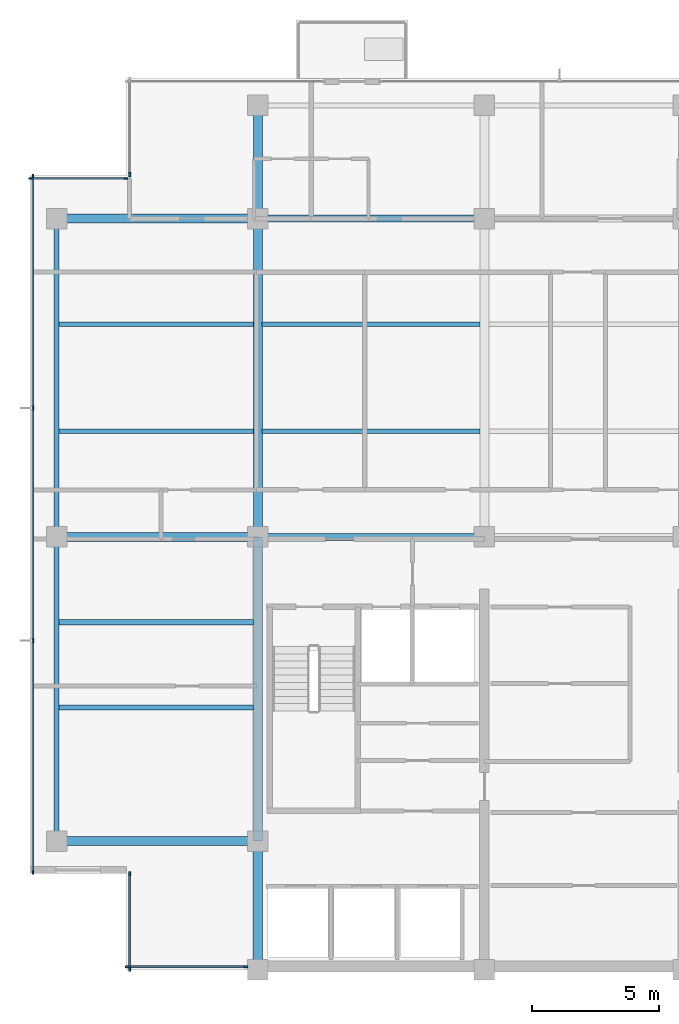
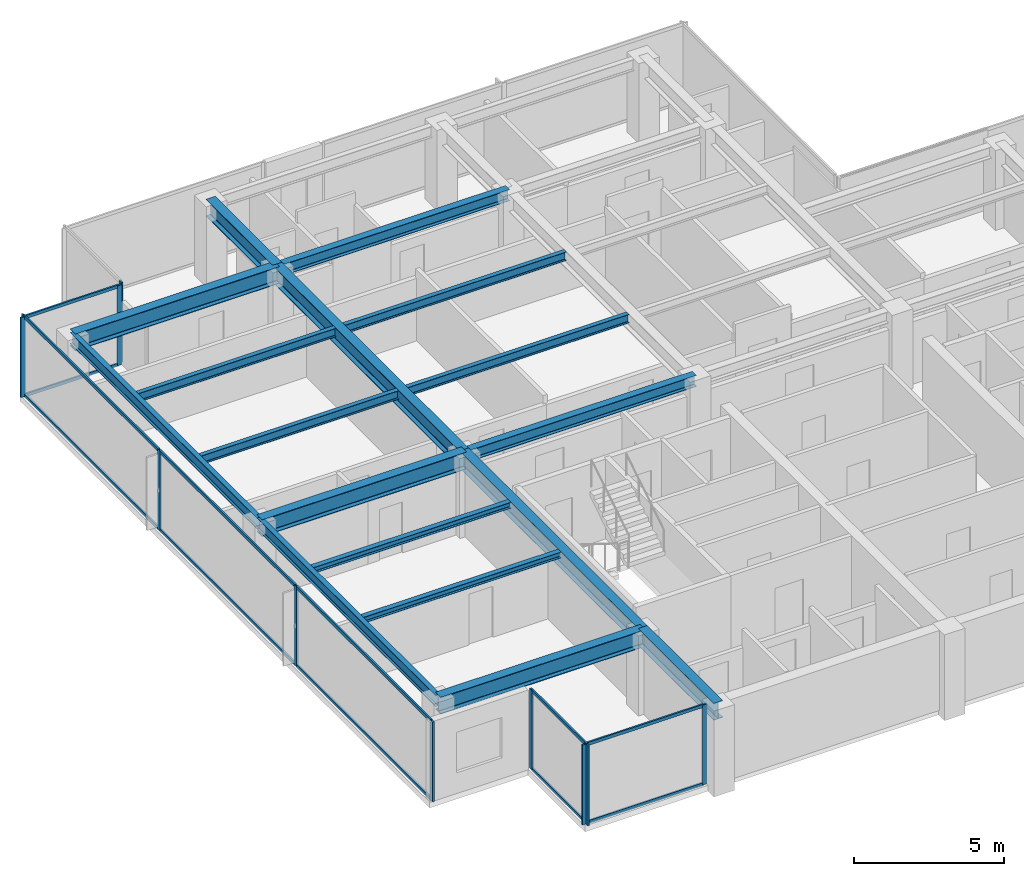
# One storey, part 2 of 11: 23 members, 17 beams, 5 elements without a shape of their own.
"""IFC4 building model written with IfcOpenShell, lengths in metres."""

from ifc_helpers import new_model, si_unit, direction, frame, origin, origin_2d, place, context, subcontext, project, spatial, rectangle, i_section, extrude, material, layer, layer_set, material_profile, profile_set, type_object, element, aggregate, save


model = new_model("IFC4")

# Units and contexts
model_context = context("Model", 3, precision=1e-05, world=origin(), true_north=direction((0.0, 1.0)))
body_context = subcontext(model_context, "Body", "Model", "MODEL_VIEW")
ifc_project = project(units=[si_unit("LENGTHUNIT", "METRE"), si_unit("AREAUNIT", "SQUARE_METRE"), si_unit("VOLUMEUNIT", "CUBIC_METRE"), si_unit("PLANEANGLEUNIT", "RADIAN"), si_unit("MASSUNIT", "GRAM", prefix="KILO")], contexts=[model_context])

# Site, building, storey
site_placement = place(None, origin())
site = spatial("IfcSite", under=ifc_project, at=site_placement, CompositionType="ELEMENT")
building_placement = place(site_placement, origin())
building = spatial("IfcBuilding", under=site, at=building_placement, Name="Qalmaran Belvedere Hotel", CompositionType="ELEMENT")
storey_placement = place(building_placement, frame((0.0, 0.0, 249.39990234375)))
storey = spatial("IfcBuildingStorey", under=building, at=storey_placement, Name="L64", CompositionType="ELEMENT", Elevation=249.39990234375)

# Beams
ifc_material_1 = material(Name="Steel S355JR", Category="steel")
ifc_material_profile_1 = material_profile(ifc_material_1, i_section(OverallWidth=0.201904296875, OverallDepth=0.2470703125, WebThickness=0.00732421875, FlangeThickness=0.010986328125, FilletRadius=0.011962890625, at=origin_2d()), Name="W250X49")
ifc_profile_set_1 = profile_set([ifc_material_profile_1], Name="Steel S355JR")
beam_type_1 = type_object("IfcBeamType", Name="BM-JST-W250X49", PredefinedType="JOIST", material=ifc_profile_set_1)
for number, where, z_axis, x_axis, name in (
    (1, (12.493896484375, 13.800048828125, 3.13671875), (1.0, 0.0, 0.0), (0.0, 1.0, 0.0), "L64 West Wing Joist 031"),
    (2, (12.493896484375, 17.14990234375, 3.13671875), (1.0, 0.0, 0.0), (0.0, 1.0, 0.0), "L64 West Wing Joist 033"),
):
    element("IfcBeam", number, at=place(storey_placement, frame(where, z_axis=z_axis, x_axis=x_axis)), inside=storey, type_object=beam_type_1, Name=name, PredefinedType="JOIST", context=body_context, shape_type="SweptSolid", body=[
        extrude(i_section(OverallWidth=0.201904296875, OverallDepth=0.2470703125, WebThickness=0.00732421875, FlangeThickness=0.010986328125, FilletRadius=0.011962890625, at=origin_2d()), origin(), (0.0, 0.0, 1.0), 7.630615234375),
    ])
ifc_material_profile_2 = material_profile(ifc_material_1, i_section(OverallWidth=0.172119140625, OverallDepth=0.35791015625, WebThickness=0.0078125, FlangeThickness=0.01318359375, FilletRadius=0.014892578125, at=origin_2d()), Name="W360X57")
ifc_profile_set_2 = profile_set([ifc_material_profile_2], Name="Steel S355JR")
beam_type_2 = type_object("IfcBeamType", Name="BM-SB4-W360X57", PredefinedType="BEAM", material=ifc_profile_set_2)
beam_1_placement = place(storey_placement, frame((12.493896484375, 24.64990234375, 3.0810546875), z_axis=(1.0, 0.0, 0.0), x_axis=(0.0, 1.0, 0.0)))
element("IfcBeam", 3, at=beam_1_placement, inside=storey, type_object=beam_type_2, Name="L64 West Secondary Beam 024", PredefinedType="BEAM", context=body_context, shape_type="SweptSolid", body=[
    extrude(i_section(OverallWidth=0.172119140625, OverallDepth=0.35791015625, WebThickness=0.0078125, FlangeThickness=0.01318359375, FilletRadius=0.014892578125, at=origin_2d()), origin(), (0.0, 0.0, 1.0), 7.630615234375),
])
beam_2_placement = place(storey_placement, frame((20.4755859375, 24.64990234375, 3.0810546875), z_axis=(1.0, 0.0, 0.0), x_axis=(0.0, 1.0, 0.0)))
element("IfcBeam", 4, at=beam_2_placement, inside=storey, type_object=beam_type_2, Name="L64 Secondary Floor Beam 025", PredefinedType="BEAM", context=body_context, shape_type="SweptSolid", body=[
    extrude(i_section(OverallWidth=0.172119140625, OverallDepth=0.35791015625, WebThickness=0.0078125, FlangeThickness=0.01318359375, FilletRadius=0.014892578125, at=origin_2d()), origin(), (0.0, 0.0, 1.0), 8.548828125),
])
beam_3_placement = place(storey_placement, frame((12.493896484375, 28.85009765625, 3.0810546875), z_axis=(1.0, 0.0, 0.0), x_axis=(0.0, 1.0, 0.0)))
element("IfcBeam", 5, at=beam_3_placement, inside=storey, type_object=beam_type_2, Name="L64 West Secondary Beam 028", PredefinedType="BEAM", context=body_context, shape_type="SweptSolid", body=[
    extrude(i_section(OverallWidth=0.172119140625, OverallDepth=0.35791015625, WebThickness=0.0078125, FlangeThickness=0.01318359375, FilletRadius=0.014892578125, at=origin_2d()), origin(), (0.0, 0.0, 1.0), 7.630615234375),
])
beam_4_placement = place(storey_placement, frame((20.4755859375, 28.85009765625, 3.0810546875), z_axis=(1.0, 0.0, 0.0), x_axis=(0.0, 1.0, 0.0)))
element("IfcBeam", 6, at=beam_4_placement, inside=storey, type_object=beam_type_2, Name="L64 Secondary Floor Beam 029", PredefinedType="BEAM", context=body_context, shape_type="SweptSolid", body=[
    extrude(i_section(OverallWidth=0.172119140625, OverallDepth=0.35791015625, WebThickness=0.0078125, FlangeThickness=0.01318359375, FilletRadius=0.014892578125, at=origin_2d()), origin(), (0.0, 0.0, 1.0), 8.548828125),
])
ifc_material_profile_3 = material_profile(ifc_material_1, i_section(OverallWidth=0.19189453125, OverallDepth=0.462890625, WebThickness=0.010498046875, FlangeThickness=0.017578125, FilletRadius=0.01611328125, at=origin_2d()), Name="W460X89")
ifc_profile_set_3 = profile_set([ifc_material_profile_3], Name="Steel S355JR")
beam_type_3 = type_object("IfcBeamType", Name="BM-SP2-W460X89", PredefinedType="SPANDREL", material=ifc_profile_set_3)
beam_5_placement = place(storey_placement, frame((12.39990234375, 8.550048828125, 3.028564453125), z_axis=(0.0, 1.0, 0.0), x_axis=(-1.0, 0.0, 0.0)))
element("IfcBeam", 7, at=beam_5_placement, inside=storey, type_object=beam_type_3, Name="L64 Perimeter Spandrel 01", PredefinedType="SPANDREL", context=body_context, shape_type="SweptSolid", body=[
    extrude(i_section(OverallWidth=0.19189453125, OverallDepth=0.462890625, WebThickness=0.010498046875, FlangeThickness=0.017578125, FilletRadius=0.01611328125, at=origin_2d()), origin(), (0.0, 0.0, 1.0), 11.949951171875),
])
beam_6_placement = place(storey_placement, frame((12.39990234375, 20.5, 3.028564453125), z_axis=(0.0, 1.0, 0.0), x_axis=(-1.0, 0.0, 0.0)))
element("IfcBeam", 8, at=beam_6_placement, inside=storey, type_object=beam_type_3, Name="L64 Perimeter Spandrel 02", PredefinedType="SPANDREL", context=body_context, shape_type="SweptSolid", body=[
    extrude(i_section(OverallWidth=0.19189453125, OverallDepth=0.462890625, WebThickness=0.010498046875, FlangeThickness=0.017578125, FilletRadius=0.01611328125, at=origin_2d()), origin(), (0.0, 0.0, 1.0), 12.5),
])
ifc_material_profile_4 = material_profile(ifc_material_1, i_section(OverallWidth=0.35498046875, OverallDepth=0.695068359375, WebThickness=0.015380859375, FlangeThickness=0.02490234375, FilletRadius=0.02197265625, at=origin_2d()), Name="W690X217")
ifc_profile_set_4 = profile_set([ifc_material_profile_4], Name="Steel S355JR")
beam_type_4 = type_object("IfcBeamType", Name="BM-Z1-W690X217", PredefinedType="USERDEFINED", material=ifc_profile_set_4)
beam_7_placement = place(storey_placement, frame((20.300048828125, 20.5, 2.91259765625), z_axis=(0.0, 1.0, 0.0), x_axis=(-1.0, 0.0, 0.0)))
element("IfcBeam", 9, at=beam_7_placement, inside=storey, type_object=beam_type_4, Name="L64 Mid-Plate N-S Girder 11", ObjectType="GIRDER", PredefinedType="USERDEFINED", context=body_context, shape_type="SweptSolid", body=[
    extrude(i_section(OverallWidth=0.35498046875, OverallDepth=0.695068359375, WebThickness=0.015380859375, FlangeThickness=0.02490234375, FilletRadius=0.02197265625, at=origin_2d()), origin(), (0.0, 0.0, 1.0), 12.5),
])
beam_8_placement = place(storey_placement, frame((20.300048828125, 33.0, 2.91259765625), z_axis=(0.0, 1.0, 0.0), x_axis=(-1.0, 0.0, 0.0)))
element("IfcBeam", 10, at=beam_8_placement, inside=storey, type_object=beam_type_4, Name="L64 North Bay Girder 12", ObjectType="GIRDER", PredefinedType="USERDEFINED", context=body_context, shape_type="SweptSolid", body=[
    extrude(i_section(OverallWidth=0.35498046875, OverallDepth=0.695068359375, WebThickness=0.015380859375, FlangeThickness=0.02490234375, FilletRadius=0.02197265625, at=origin_2d()), origin(), (0.0, 0.0, 1.0), 4.449951171875),
])
for number, where, z_axis, x_axis, name in (
    (11, (12.39990234375, 8.550048828125, 2.91259765625), (1.0, 0.0, 0.0), (0.0, 1.0, 0.0), "L64 West Wing Girder 19"),
    (12, (12.39990234375, 20.5, 2.91259765625), (1.0, 0.0, 0.0), (0.0, 1.0, 0.0), "L64 West Wing Girder 20"),
    (13, (12.39990234375, 33.0, 2.91259765625), (1.0, 0.0, 0.0), (0.0, 1.0, 0.0), "L64 West Wing Girder 21"),
):
    element("IfcBeam", number, at=place(storey_placement, frame(where, z_axis=z_axis, x_axis=x_axis)), inside=storey, type_object=beam_type_4, Name=name, ObjectType="GIRDER", PredefinedType="USERDEFINED", context=body_context, shape_type="SweptSolid", body=[
        extrude(i_section(OverallWidth=0.35498046875, OverallDepth=0.695068359375, WebThickness=0.015380859375, FlangeThickness=0.02490234375, FilletRadius=0.02197265625, at=origin_2d()), origin(), (0.0, 0.0, 1.0), 7.900146484375),
    ])
beam_9_placement = place(storey_placement, frame((20.300048828125, 3.5, 2.91259765625), z_axis=(0.0, 1.0, 0.0), x_axis=(-1.0, 0.0, 0.0)))
element("IfcBeam", 14, at=beam_9_placement, inside=storey, type_object=beam_type_4, Name="L64 West Core Edge Girder A", ObjectType="GIRDER", PredefinedType="USERDEFINED", context=body_context, shape_type="SweptSolid", body=[
    extrude(i_section(OverallWidth=0.35498046875, OverallDepth=0.695068359375, WebThickness=0.015380859375, FlangeThickness=0.02490234375, FilletRadius=0.02197265625, at=origin_2d()), origin(), (0.0, 0.0, 1.0), 5.050048828125),
])
beam_10_placement = place(storey_placement, frame((20.300048828125, 8.550048828125, 2.91259765625), z_axis=(0.0, 1.0, 0.0), x_axis=(-1.0, 0.0, 0.0)))
element("IfcBeam", 15, at=beam_10_placement, inside=storey, type_object=beam_type_4, Name="L64 West Core Edge Girder B", ObjectType="GIRDER", PredefinedType="USERDEFINED", context=body_context, shape_type="SweptSolid", body=[
    extrude(i_section(OverallWidth=0.35498046875, OverallDepth=0.695068359375, WebThickness=0.015380859375, FlangeThickness=0.02490234375, FilletRadius=0.02197265625, at=origin_2d()), origin(), (0.0, 0.0, 1.0), 11.949951171875),
])
ifc_material_profile_5 = material_profile(ifc_material_1, i_section(OverallWidth=0.280029296875, OverallDepth=0.462890625, WebThickness=0.0107421875, FlangeThickness=0.017333984375, FilletRadius=0.01611328125, at=origin_2d()), Name="W460X113")
ifc_profile_set_5 = profile_set([ifc_material_profile_5], Name="Steel S355JR")
beam_type_5 = type_object("IfcBeamType", Name="BM-Z5-W460X113", PredefinedType="USERDEFINED", material=ifc_profile_set_5)
for number, where, z_axis, x_axis, name in (
    (16, (20.300048828125, 20.5, 3.028564453125), (1.0, 0.0, 0.0), (0.0, 1.0, 0.0), "L64 Interior E-W Girder 06"),
    (17, (20.300048828125, 33.0, 3.028564453125), (1.0, 0.0, 0.0), (0.0, 1.0, 0.0), "L64 Interior E-W Girder 09"),
):
    element("IfcBeam", number, at=place(storey_placement, frame(where, z_axis=z_axis, x_axis=x_axis)), inside=storey, type_object=beam_type_5, Name=name, ObjectType="GIRDER", PredefinedType="USERDEFINED", context=body_context, shape_type="SweptSolid", body=[
        extrude(i_section(OverallWidth=0.280029296875, OverallDepth=0.462890625, WebThickness=0.0107421875, FlangeThickness=0.017333984375, FilletRadius=0.01611328125, at=origin_2d()), origin(), (0.0, 0.0, 1.0), 8.89990234375),
    ])

# Curtain wall, members
ifc_material_2 = material(Name="Anodised Bronze Aluminium", Category="aluminium")
ifc_layer = layer(ifc_material_2, 0.18505859375, Name="Anodised Bronze Aluminium")
ifc_layer_set = layer_set([ifc_layer], Name="Anodised Bronze Aluminium")
curtain_wall_type = type_object("IfcCurtainWallType", Name="CW6-TOWER-SKY", PredefinedType="NOTDEFINED", material=ifc_layer_set)
curtain_wall_1_placement = place(storey_placement, origin())
curtain_wall_1 = element("IfcCurtainWall", 18, at=curtain_wall_1_placement, inside=storey, type_object=curtain_wall_type, Name="L64 Curtain Wall CW6", PredefinedType="NOTDEFINED")
ifc_material_profile_6 = material_profile(ifc_material_2, rectangle(XDim=0.06494140625, YDim=0.1650390625, at=origin_2d()), Name="CWM65X165")
ifc_profile_set_6 = profile_set([ifc_material_profile_6], Name="Anodised Bronze Aluminium")
member_type_1 = type_object("IfcMemberType", Name="CWM-65X165", PredefinedType="MULLION", material=ifc_profile_set_6)
member_1_placement = place(storey_placement, frame((15.1826171875, 3.6201171875, 0.0), z_axis=(0.0, 0.0, 1.0), x_axis=(0.0, 1.0, 0.0)))
member_1 = element("IfcMember", 19, at=member_1_placement, type_object=member_type_1, Name="CW6 mullion 1", PredefinedType="MULLION", context=body_context, shape_type="SweptSolid", body=[
    extrude(rectangle(XDim=0.06494140625, YDim=0.1650390625, at=origin_2d()), origin(), (0.0, 0.0, 1.0), 3.260009765625),
])
member_2_placement = place(storey_placement, frame((19.827392578125, 3.6201171875, 0.0), z_axis=(0.0, 0.0, 1.0), x_axis=(0.0, 1.0, 0.0)))
member_2 = element("IfcMember", 20, at=member_2_placement, type_object=member_type_1, Name="CW6 mullion 2", PredefinedType="MULLION", context=body_context, shape_type="SweptSolid", body=[
    extrude(rectangle(XDim=0.06494140625, YDim=0.1650390625, at=origin_2d()), origin(), (0.0, 0.0, 1.0), 3.260009765625),
])

# Curtain wall, member
curtain_wall_2_placement = place(storey_placement, origin())
curtain_wall_2 = element("IfcCurtainWall", 21, at=curtain_wall_2_placement, inside=storey, type_object=curtain_wall_type, Name="L64 Curtain Wall CW6", PredefinedType="NOTDEFINED")
member_3_placement = place(storey_placement, frame((15.27001953125, 34.732421875, 0.0), z_axis=(0.0, 0.0, 1.0), x_axis=(1.0, 0.0, 0.0)))
member_3 = element("IfcMember", 22, at=member_3_placement, type_object=member_type_1, Name="CW6 mullion 2", PredefinedType="MULLION", context=body_context, shape_type="SweptSolid", body=[
    extrude(rectangle(XDim=0.06494140625, YDim=0.1650390625, at=origin_2d()), origin(), (0.0, 0.0, 1.0), 3.260009765625),
])
aggregate(curtain_wall_2, [member_3])

# Curtain wall, members
curtain_wall_3_placement = place(storey_placement, origin())
curtain_wall_3 = element("IfcCurtainWall", 23, at=curtain_wall_3_placement, inside=storey, type_object=curtain_wall_type, Name="L64 Curtain Wall CW6", PredefinedType="NOTDEFINED")
member_4_placement = place(storey_placement, frame((15.117431640625, 34.580078125, 0.0), z_axis=(0.0, 0.0, 1.0), x_axis=(0.0, -1.0, 0.0)))
member_4 = element("IfcMember", 24, at=member_4_placement, type_object=member_type_1, Name="CW6 mullion 1", PredefinedType="MULLION", context=body_context, shape_type="SweptSolid", body=[
    extrude(rectangle(XDim=0.06494140625, YDim=0.1650390625, at=origin_2d()), origin(), (0.0, 0.0, 1.0), 3.260009765625),
])
member_5_placement = place(storey_placement, frame((11.382568359375, 34.580078125, 0.0), z_axis=(0.0, 0.0, 1.0), x_axis=(0.0, -1.0, 0.0)))
member_5 = element("IfcMember", 25, at=member_5_placement, type_object=member_type_1, Name="CW6 mullion 2", PredefinedType="MULLION", context=body_context, shape_type="SweptSolid", body=[
    extrude(rectangle(XDim=0.06494140625, YDim=0.1650390625, at=origin_2d()), origin(), (0.0, 0.0, 1.0), 3.260009765625),
])

curtain_wall_4_placement = place(storey_placement, origin())
curtain_wall_4 = element("IfcCurtainWall", 26, at=curtain_wall_4_placement, inside=storey, type_object=curtain_wall_type, Name="L64 Curtain Wall CW6", PredefinedType="NOTDEFINED")
member_6_placement = place(storey_placement, frame((11.469970703125, 34.66748046875, 0.0), z_axis=(0.0, 0.0, 1.0), x_axis=(1.0, 0.0, 0.0)))
member_6 = element("IfcMember", 27, at=member_6_placement, type_object=member_type_1, Name="CW6 mullion 1", PredefinedType="MULLION", context=body_context, shape_type="SweptSolid", body=[
    extrude(rectangle(XDim=0.06494140625, YDim=0.1650390625, at=origin_2d()), origin(), (0.0, 0.0, 1.0), 3.260009765625),
])
member_7_placement = place(storey_placement, frame((11.469970703125, 25.566650390625, 0.0), z_axis=(0.0, 0.0, 1.0), x_axis=(1.0, 0.0, 0.0)))
member_7 = element("IfcMember", 28, at=member_7_placement, type_object=member_type_1, Name="CW6 mullion 2", PredefinedType="MULLION", context=body_context, shape_type="SweptSolid", body=[
    extrude(rectangle(XDim=0.06494140625, YDim=0.1650390625, at=origin_2d()), origin(), (0.0, 0.0, 1.0), 3.260009765625),
])
member_8_placement = place(storey_placement, frame((11.469970703125, 16.433349609375, 0.0), z_axis=(0.0, 0.0, 1.0), x_axis=(1.0, 0.0, 0.0)))
member_8 = element("IfcMember", 29, at=member_8_placement, type_object=member_type_1, Name="CW6 mullion 3", PredefinedType="MULLION", context=body_context, shape_type="SweptSolid", body=[
    extrude(rectangle(XDim=0.06494140625, YDim=0.1650390625, at=origin_2d()), origin(), (0.0, 0.0, 1.0), 3.260009765625),
])
member_9_placement = place(storey_placement, frame((11.469970703125, 7.33251953125, 0.0), z_axis=(0.0, 0.0, 1.0), x_axis=(1.0, 0.0, 0.0)))
member_9 = element("IfcMember", 30, at=member_9_placement, type_object=member_type_1, Name="CW6 mullion 4", PredefinedType="MULLION", context=body_context, shape_type="SweptSolid", body=[
    extrude(rectangle(XDim=0.06494140625, YDim=0.1650390625, at=origin_2d()), origin(), (0.0, 0.0, 1.0), 3.260009765625),
])

curtain_wall_5_placement = place(storey_placement, origin())
curtain_wall_5 = element("IfcCurtainWall", 31, at=curtain_wall_5_placement, inside=storey, type_object=curtain_wall_type, Name="L64 Curtain Wall CW6", PredefinedType="NOTDEFINED")
member_10_placement = place(storey_placement, frame((15.27001953125, 7.267578125, 0.0), z_axis=(0.0, 0.0, 1.0), x_axis=(1.0, 0.0, 0.0)))
member_10 = element("IfcMember", 32, at=member_10_placement, type_object=member_type_1, Name="CW6 mullion 1", PredefinedType="MULLION", context=body_context, shape_type="SweptSolid", body=[
    extrude(rectangle(XDim=0.06494140625, YDim=0.1650390625, at=origin_2d()), origin(), (0.0, 0.0, 1.0), 3.260009765625),
])
member_11_placement = place(storey_placement, frame((15.27001953125, 3.532470703125, 0.0), z_axis=(0.0, 0.0, 1.0), x_axis=(1.0, 0.0, 0.0)))
member_11 = element("IfcMember", 33, at=member_11_placement, type_object=member_type_1, Name="CW6 mullion 2", PredefinedType="MULLION", context=body_context, shape_type="SweptSolid", body=[
    extrude(rectangle(XDim=0.06494140625, YDim=0.1650390625, at=origin_2d()), origin(), (0.0, 0.0, 1.0), 3.260009765625),
])

# Member
ifc_material_profile_7 = material_profile(ifc_material_2, rectangle(XDim=0.06494140625, YDim=0.1298828125, at=origin_2d()), Name="CWT65X130")
ifc_profile_set_7 = profile_set([ifc_material_profile_7], Name="Anodised Bronze Aluminium")
member_type_2 = type_object("IfcMemberType", Name="CWT-65X130", PredefinedType="USERDEFINED", material=ifc_profile_set_7)
member_12_placement = place(storey_placement, frame((15.215087890625, 3.6201171875, 0.03271484375), z_axis=(1.0, 0.0, 0.0), x_axis=(0.0, 1.0, 0.0)))
member_12 = element("IfcMember", 34, at=member_12_placement, type_object=member_type_2, Name="CW6 transom 1.1", ObjectType="TRANSOM", PredefinedType="USERDEFINED", context=body_context, shape_type="SweptSolid", body=[
    extrude(rectangle(XDim=0.06494140625, YDim=0.1298828125, at=origin_2d()), origin(), (0.0, 0.0, 1.0), 4.579833984375),
])

member_13_placement = place(storey_placement, frame((15.215087890625, 3.6201171875, 3.2275390625), z_axis=(1.0, 0.0, 0.0), x_axis=(0.0, 1.0, 0.0)))
member_13 = element("IfcMember", 35, at=member_13_placement, type_object=member_type_2, Name="CW6 transom 1.2", ObjectType="TRANSOM", PredefinedType="USERDEFINED", context=body_context, shape_type="SweptSolid", body=[
    extrude(rectangle(XDim=0.06494140625, YDim=0.1298828125, at=origin_2d()), origin(), (0.0, 0.0, 1.0), 4.579833984375),
])

aggregate(curtain_wall_1, [member_1, member_2, member_12, member_13])

member_14_placement = place(storey_placement, frame((15.0849609375, 34.580078125, 0.03271484375), z_axis=(-1.0, 0.0, 0.0), x_axis=(0.0, -1.0, 0.0)))
member_14 = element("IfcMember", 36, at=member_14_placement, type_object=member_type_2, Name="CW6 transom 1.1", ObjectType="TRANSOM", PredefinedType="USERDEFINED", context=body_context, shape_type="SweptSolid", body=[
    extrude(rectangle(XDim=0.06494140625, YDim=0.1298828125, at=origin_2d()), origin(), (0.0, 0.0, 1.0), 3.669921875),
])

member_15_placement = place(storey_placement, frame((15.0849609375, 34.580078125, 3.2275390625), z_axis=(-1.0, 0.0, 0.0), x_axis=(0.0, -1.0, 0.0)))
member_15 = element("IfcMember", 37, at=member_15_placement, type_object=member_type_2, Name="CW6 transom 1.2", ObjectType="TRANSOM", PredefinedType="USERDEFINED", context=body_context, shape_type="SweptSolid", body=[
    extrude(rectangle(XDim=0.06494140625, YDim=0.1298828125, at=origin_2d()), origin(), (0.0, 0.0, 1.0), 3.669921875),
])

aggregate(curtain_wall_3, [member_4, member_5, member_14, member_15])

member_16_placement = place(storey_placement, frame((11.469970703125, 34.635009765625, 0.03271484375), z_axis=(0.0, -1.0, 0.0), x_axis=(1.0, 0.0, 0.0)))
member_16 = element("IfcMember", 38, at=member_16_placement, type_object=member_type_2, Name="CW6 transom 1.1", ObjectType="TRANSOM", PredefinedType="USERDEFINED", context=body_context, shape_type="SweptSolid", body=[
    extrude(rectangle(XDim=0.06494140625, YDim=0.1298828125, at=origin_2d()), origin(), (0.0, 0.0, 1.0), 9.035888671875),
])

member_17_placement = place(storey_placement, frame((11.469970703125, 34.635009765625, 3.2275390625), z_axis=(0.0, -1.0, 0.0), x_axis=(1.0, 0.0, 0.0)))
member_17 = element("IfcMember", 39, at=member_17_placement, type_object=member_type_2, Name="CW6 transom 1.2", ObjectType="TRANSOM", PredefinedType="USERDEFINED", context=body_context, shape_type="SweptSolid", body=[
    extrude(rectangle(XDim=0.06494140625, YDim=0.1298828125, at=origin_2d()), origin(), (0.0, 0.0, 1.0), 9.035888671875),
])

member_18_placement = place(storey_placement, frame((11.469970703125, 25.5341796875, 0.03271484375), z_axis=(0.0, -1.0, 0.0), x_axis=(1.0, 0.0, 0.0)))
member_18 = element("IfcMember", 40, at=member_18_placement, type_object=member_type_2, Name="CW6 transom 2.1", ObjectType="TRANSOM", PredefinedType="USERDEFINED", context=body_context, shape_type="SweptSolid", body=[
    extrude(rectangle(XDim=0.06494140625, YDim=0.1298828125, at=origin_2d()), origin(), (0.0, 0.0, 1.0), 9.068359375),
])

member_19_placement = place(storey_placement, frame((11.469970703125, 25.5341796875, 3.2275390625), z_axis=(0.0, -1.0, 0.0), x_axis=(1.0, 0.0, 0.0)))
member_19 = element("IfcMember", 41, at=member_19_placement, type_object=member_type_2, Name="CW6 transom 2.2", ObjectType="TRANSOM", PredefinedType="USERDEFINED", context=body_context, shape_type="SweptSolid", body=[
    extrude(rectangle(XDim=0.06494140625, YDim=0.1298828125, at=origin_2d()), origin(), (0.0, 0.0, 1.0), 9.068359375),
])

member_20_placement = place(storey_placement, frame((11.469970703125, 16.40087890625, 0.03271484375), z_axis=(0.0, -1.0, 0.0), x_axis=(1.0, 0.0, 0.0)))
member_20 = element("IfcMember", 42, at=member_20_placement, type_object=member_type_2, Name="CW6 transom 3.1", ObjectType="TRANSOM", PredefinedType="USERDEFINED", context=body_context, shape_type="SweptSolid", body=[
    extrude(rectangle(XDim=0.06494140625, YDim=0.1298828125, at=origin_2d()), origin(), (0.0, 0.0, 1.0), 9.035888671875),
])

member_21_placement = place(storey_placement, frame((11.469970703125, 16.40087890625, 3.2275390625), z_axis=(0.0, -1.0, 0.0), x_axis=(1.0, 0.0, 0.0)))
member_21 = element("IfcMember", 43, at=member_21_placement, type_object=member_type_2, Name="CW6 transom 3.2", ObjectType="TRANSOM", PredefinedType="USERDEFINED", context=body_context, shape_type="SweptSolid", body=[
    extrude(rectangle(XDim=0.06494140625, YDim=0.1298828125, at=origin_2d()), origin(), (0.0, 0.0, 1.0), 9.035888671875),
])

aggregate(curtain_wall_4, [member_6, member_7, member_8, member_9, member_16, member_17, member_18, member_19, member_20, member_21])

member_22_placement = place(storey_placement, frame((15.27001953125, 7.235107421875, 0.03271484375), z_axis=(0.0, -1.0, 0.0), x_axis=(1.0, 0.0, 0.0)))
member_22 = element("IfcMember", 44, at=member_22_placement, type_object=member_type_2, Name="CW6 transom 1.1", ObjectType="TRANSOM", PredefinedType="USERDEFINED", context=body_context, shape_type="SweptSolid", body=[
    extrude(rectangle(XDim=0.06494140625, YDim=0.1298828125, at=origin_2d()), origin(), (0.0, 0.0, 1.0), 3.670166015625),
])

member_23_placement = place(storey_placement, frame((15.27001953125, 7.235107421875, 3.2275390625), z_axis=(0.0, -1.0, 0.0), x_axis=(1.0, 0.0, 0.0)))
member_23 = element("IfcMember", 45, at=member_23_placement, type_object=member_type_2, Name="CW6 transom 1.2", ObjectType="TRANSOM", PredefinedType="USERDEFINED", context=body_context, shape_type="SweptSolid", body=[
    extrude(rectangle(XDim=0.06494140625, YDim=0.1298828125, at=origin_2d()), origin(), (0.0, 0.0, 1.0), 3.670166015625),
])

aggregate(curtain_wall_5, [member_10, member_11, member_22, member_23])

save(model, "model.ifc")
